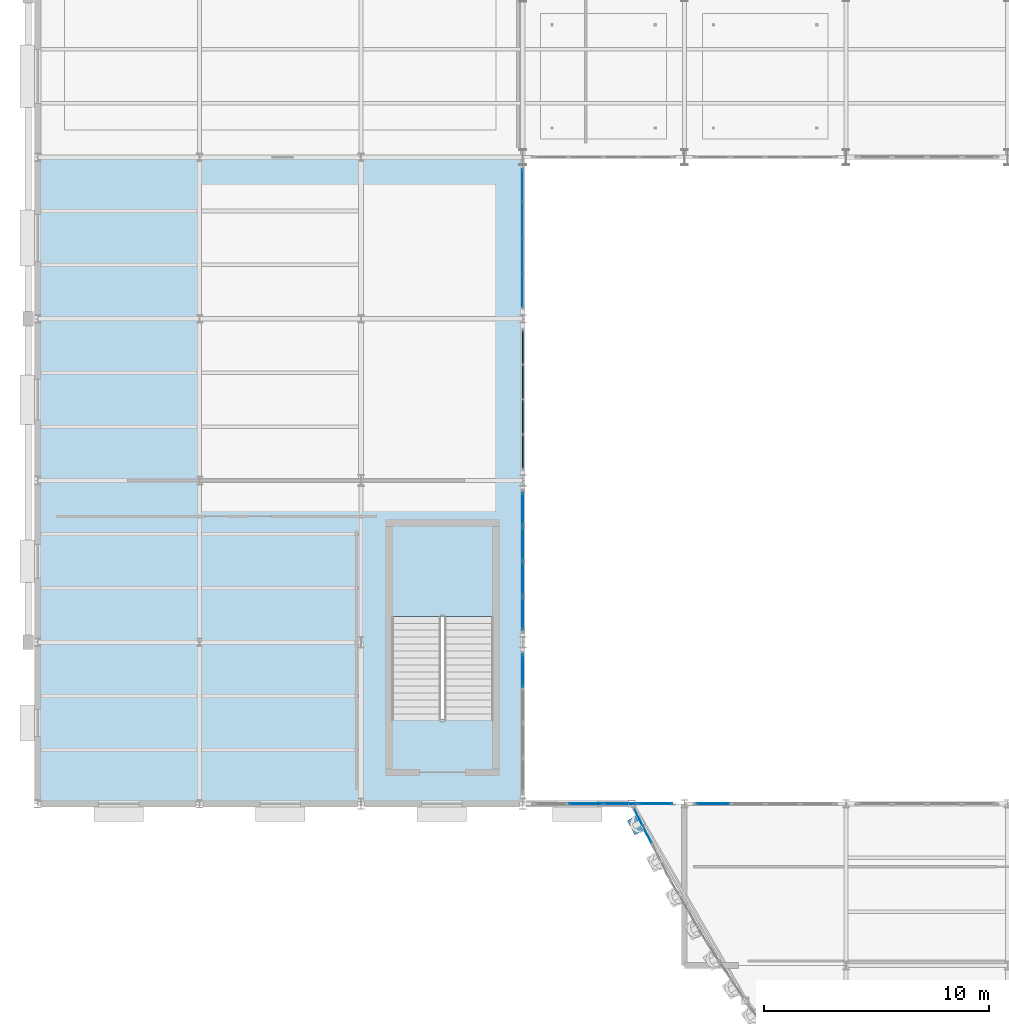
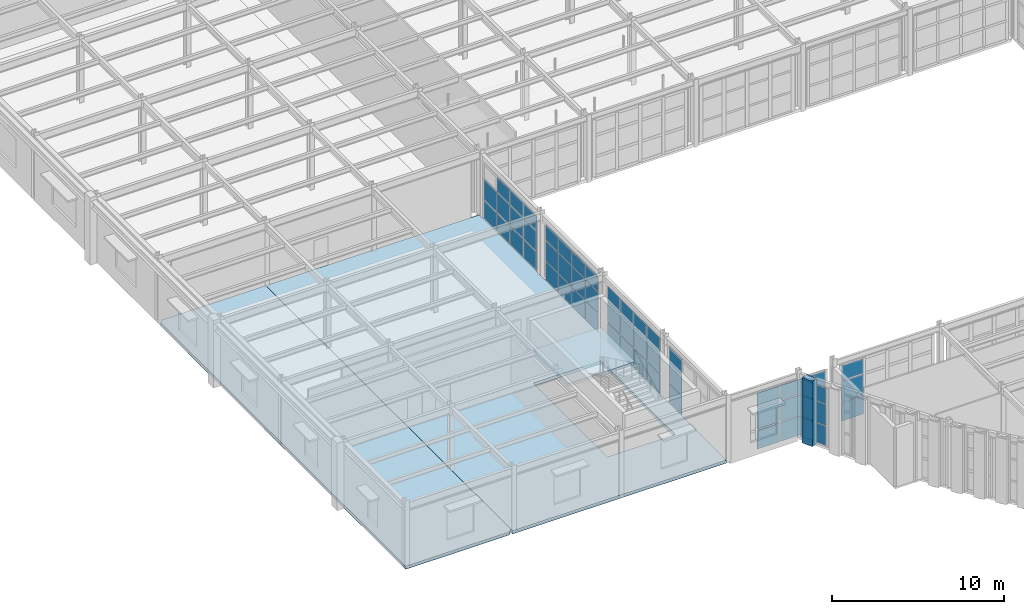
# One storey, part 78 of 121: 57 plates, 3 slabs, 8 elements without a shape of their own.
"""IFC4 building model written with IfcOpenShell, lengths in metres."""

from ifc_helpers import new_model, si_unit, direction, frame, origin, origin_2d, place, context, subcontext, project, spatial, polyline, rectangle, outline, extrude, material, layer, layer_set, type_object, element, aggregate, save


model = new_model("IFC4")

# Units and contexts
model_context = context("Model", 3, precision=1e-05, world=origin(), true_north=direction((0.0, 1.0)))
body_context = subcontext(model_context, "Body", "Model", "MODEL_VIEW")
ifc_project = project(units=[si_unit("LENGTHUNIT", "METRE"), si_unit("AREAUNIT", "SQUARE_METRE"), si_unit("VOLUMEUNIT", "CUBIC_METRE"), si_unit("PLANEANGLEUNIT", "RADIAN"), si_unit("MASSUNIT", "GRAM", prefix="KILO")], contexts=[model_context])

# Site, building, storey
site_placement = place(None, origin())
site = spatial("IfcSite", under=ifc_project, at=site_placement, CompositionType="ELEMENT")
building_placement = place(site_placement, origin())
building = spatial("IfcBuilding", under=site, at=building_placement, Name="Solvadek Multi-Sports Hall", CompositionType="ELEMENT")
storey_placement = place(building_placement, frame((0.0, 0.0, 4.800048828125)))
storey = spatial("IfcBuildingStorey", under=building, at=storey_placement, Name="L01", CompositionType="ELEMENT", Elevation=4.800048828125)

# Curtain wall, plates
ifc_material_1 = material(Name="Anodised aluminium", Category="aluminium")
ifc_layer_1 = layer(ifc_material_1, 0.159912109375, Name="Anodised aluminium")
ifc_layer_set_1 = layer_set([ifc_layer_1], Name="Anodised aluminium")
curtain_wall_type_1 = type_object("IfcCurtainWallType", Name="ENV-CW-347X420", PredefinedType="USERDEFINED", material=ifc_layer_set_1)
curtain_wall_1_placement = place(storey_placement, origin())
curtain_wall_1 = element("IfcCurtainWall", 1, at=curtain_wall_1_placement, inside=storey, type_object=curtain_wall_type_1, Name="L01 Crescent Curved Curtain Wall #1", ObjectType="CURTAIN WALL", PredefinedType="USERDEFINED")
ifc_material_2 = material(Name="Tempered laminated low-E glass", Category="glass")
ifc_layer_2 = layer(ifc_material_2, 0.02392578125, Name="Tempered laminated low-E glass")
ifc_layer_set_2 = layer_set([ifc_layer_2], Name="Tempered laminated low-E glass")
plate_type_1 = type_object("IfcPlateType", Name="ENV-CWP-01", PredefinedType="CURTAIN_PANEL", material=ifc_layer_set_2)
plate_1_placement = place(storey_placement, frame((26.765380859375, 19.785888671875, 0.06005859375), z_axis=(0.0, 0.0, 1.0), x_axis=(0.451559432312, -0.892241043155, 0.0)))
plate_1 = element("IfcPlate", 2, at=plate_1_placement, type_object=plate_type_1, Name="CW-01 panel 1.1", PredefinedType="CURTAIN_PANEL", context=body_context, shape_type="SweptSolid", body=[
    extrude(rectangle(XDim=0.7763671875, YDim=0.02392578125, at=origin_2d()), origin(), (0.0, 0.0, 1.0), 1.3798828125),
])
plate_2_placement = place(storey_placement, frame((26.765380859375, 19.785888671875, 1.5), z_axis=(0.0, 0.0, 1.0), x_axis=(0.451559432312, -0.892241043155, 0.0)))
plate_2 = element("IfcPlate", 3, at=plate_2_placement, type_object=plate_type_1, Name="CW-01 panel 1.2", PredefinedType="CURTAIN_PANEL", context=body_context, shape_type="SweptSolid", body=[
    extrude(rectangle(XDim=0.7763671875, YDim=0.02392578125, at=origin_2d()), origin(), (0.0, 0.0, 1.0), 1.493896484375),
])
plate_3_placement = place(storey_placement, frame((26.765380859375, 19.785888671875, 3.053955078125), z_axis=(0.0, 0.0, 1.0), x_axis=(0.451559432312, -0.892241043155, 0.0)))
plate_3 = element("IfcPlate", 4, at=plate_3_placement, type_object=plate_type_1, Name="CW-01 panel 1.3", PredefinedType="CURTAIN_PANEL", context=body_context, shape_type="SweptSolid", body=[
    extrude(rectangle(XDim=0.7763671875, YDim=0.02392578125, at=origin_2d()), origin(), (0.0, 0.0, 1.0), 1.0859375),
])
plate_4_placement = place(storey_placement, frame((27.14990234375, 19.026123046875, 0.06005859375), z_axis=(0.0, 0.0, 1.0), x_axis=(0.451559432312, -0.892241043155, 0.0)))
plate_4 = element("IfcPlate", 5, at=plate_4_placement, type_object=plate_type_1, Name="CW-01 panel 2.1", PredefinedType="CURTAIN_PANEL", context=body_context, shape_type="SweptSolid", body=[
    extrude(rectangle(XDim=0.806396484375, YDim=0.02392578125, at=origin_2d()), origin(), (0.0, 0.0, 1.0), 1.3798828125),
])
plate_5_placement = place(storey_placement, frame((27.14990234375, 19.026123046875, 1.5), z_axis=(0.0, 0.0, 1.0), x_axis=(0.451559432312, -0.892241043155, 0.0)))
plate_5 = element("IfcPlate", 6, at=plate_5_placement, type_object=plate_type_1, Name="CW-01 panel 2.2", PredefinedType="CURTAIN_PANEL", context=body_context, shape_type="SweptSolid", body=[
    extrude(rectangle(XDim=0.806396484375, YDim=0.02392578125, at=origin_2d()), origin(), (0.0, 0.0, 1.0), 1.493896484375),
])
plate_6_placement = place(storey_placement, frame((27.14990234375, 19.026123046875, 3.053955078125), z_axis=(0.0, 0.0, 1.0), x_axis=(0.451559432312, -0.892241043155, 0.0)))
plate_6 = element("IfcPlate", 7, at=plate_6_placement, type_object=plate_type_1, Name="CW-01 panel 2.3", PredefinedType="CURTAIN_PANEL", context=body_context, shape_type="SweptSolid", body=[
    extrude(rectangle(XDim=0.806396484375, YDim=0.02392578125, at=origin_2d()), origin(), (0.0, 0.0, 1.0), 1.0859375),
])
aggregate(curtain_wall_1, [plate_1, plate_2, plate_3, plate_4, plate_5, plate_6])

ifc_layer_3 = layer(ifc_material_1, 0.159912109375, Name="Anodised aluminium")
ifc_layer_set_3 = layer_set([ifc_layer_3], Name="Anodised aluminium")
curtain_wall_type_2 = type_object("IfcCurtainWallType", Name="ENV-CW-624X400", PredefinedType="USERDEFINED", material=ifc_layer_set_3)
curtain_wall_2_placement = place(storey_placement, origin())
curtain_wall_2 = element("IfcCurtainWall", 8, at=curtain_wall_2_placement, inside=storey, type_object=curtain_wall_type_2, Name="L01 Perimeter Bay Curtain Wall #198", ObjectType="CURTAIN WALL", PredefinedType="USERDEFINED")
plate_7_placement = place(storey_placement, frame((21.60009765625, 43.27490234375, 0.06494140625), z_axis=(0.0, 0.0, 1.0), x_axis=(0.0, 1.0, 0.0)))
plate_7 = element("IfcPlate", 9, at=plate_7_placement, type_object=plate_type_1, Name="CW-56 panel 1.1", PredefinedType="CURTAIN_PANEL", context=body_context, shape_type="SweptSolid", body=[
    extrude(rectangle(XDim=1.469970703125, YDim=0.02392578125, at=origin_2d()), origin(), (0.0, 0.0, 1.0), 1.302490234375),
])
plate_8_placement = place(storey_placement, frame((21.60009765625, 43.27490234375, 1.432373046875), z_axis=(0.0, 0.0, 1.0), x_axis=(0.0, 1.0, 0.0)))
plate_8 = element("IfcPlate", 10, at=plate_8_placement, type_object=plate_type_1, Name="CW-56 panel 1.2", PredefinedType="CURTAIN_PANEL", context=body_context, shape_type="SweptSolid", body=[
    extrude(rectangle(XDim=1.469970703125, YDim=0.02392578125, at=origin_2d()), origin(), (0.0, 0.0, 1.0), 1.4150390625),
])
plate_9_placement = place(storey_placement, frame((21.60009765625, 43.27490234375, 2.912353515625), z_axis=(0.0, 0.0, 1.0), x_axis=(0.0, 1.0, 0.0)))
plate_9 = element("IfcPlate", 11, at=plate_9_placement, type_object=plate_type_1, Name="CW-56 panel 1.3", PredefinedType="CURTAIN_PANEL", context=body_context, shape_type="SweptSolid", body=[
    extrude(rectangle(XDim=1.469970703125, YDim=0.02392578125, at=origin_2d()), origin(), (0.0, 0.0, 1.0), 1.0224609375),
])
plate_10_placement = place(storey_placement, frame((21.60009765625, 44.820068359375, 0.06494140625), z_axis=(0.0, 0.0, 1.0), x_axis=(0.0, 1.0, 0.0)))
plate_10 = element("IfcPlate", 12, at=plate_10_placement, type_object=plate_type_1, Name="CW-56 panel 2.1", PredefinedType="CURTAIN_PANEL", context=body_context, shape_type="SweptSolid", body=[
    extrude(rectangle(XDim=1.5, YDim=0.02392578125, at=origin_2d()), origin(), (0.0, 0.0, 1.0), 1.302490234375),
])
plate_11_placement = place(storey_placement, frame((21.60009765625, 44.820068359375, 1.432373046875), z_axis=(0.0, 0.0, 1.0), x_axis=(0.0, 1.0, 0.0)))
plate_11 = element("IfcPlate", 13, at=plate_11_placement, type_object=plate_type_1, Name="CW-56 panel 2.2", PredefinedType="CURTAIN_PANEL", context=body_context, shape_type="SweptSolid", body=[
    extrude(rectangle(XDim=1.5, YDim=0.02392578125, at=origin_2d()), origin(), (0.0, 0.0, 1.0), 1.4150390625),
])
plate_12_placement = place(storey_placement, frame((21.60009765625, 44.820068359375, 2.912353515625), z_axis=(0.0, 0.0, 1.0), x_axis=(0.0, 1.0, 0.0)))
plate_12 = element("IfcPlate", 14, at=plate_12_placement, type_object=plate_type_1, Name="CW-56 panel 2.3", PredefinedType="CURTAIN_PANEL", context=body_context, shape_type="SweptSolid", body=[
    extrude(rectangle(XDim=1.5, YDim=0.02392578125, at=origin_2d()), origin(), (0.0, 0.0, 1.0), 1.0224609375),
])
plate_13_placement = place(storey_placement, frame((21.60009765625, 46.3798828125, 0.06494140625), z_axis=(0.0, 0.0, 1.0), x_axis=(0.0, 1.0, 0.0)))
plate_13 = element("IfcPlate", 15, at=plate_13_placement, type_object=plate_type_1, Name="CW-56 panel 3.1", PredefinedType="CURTAIN_PANEL", context=body_context, shape_type="SweptSolid", body=[
    extrude(rectangle(XDim=1.5, YDim=0.02392578125, at=origin_2d()), origin(), (0.0, 0.0, 1.0), 1.302490234375),
])
plate_14_placement = place(storey_placement, frame((21.60009765625, 46.3798828125, 1.432373046875), z_axis=(0.0, 0.0, 1.0), x_axis=(0.0, 1.0, 0.0)))
plate_14 = element("IfcPlate", 16, at=plate_14_placement, type_object=plate_type_1, Name="CW-56 panel 3.2", PredefinedType="CURTAIN_PANEL", context=body_context, shape_type="SweptSolid", body=[
    extrude(rectangle(XDim=1.5, YDim=0.02392578125, at=origin_2d()), origin(), (0.0, 0.0, 1.0), 1.4150390625),
])
plate_15_placement = place(storey_placement, frame((21.60009765625, 46.3798828125, 2.912353515625), z_axis=(0.0, 0.0, 1.0), x_axis=(0.0, 1.0, 0.0)))
plate_15 = element("IfcPlate", 17, at=plate_15_placement, type_object=plate_type_1, Name="CW-56 panel 3.3", PredefinedType="CURTAIN_PANEL", context=body_context, shape_type="SweptSolid", body=[
    extrude(rectangle(XDim=1.5, YDim=0.02392578125, at=origin_2d()), origin(), (0.0, 0.0, 1.0), 1.0224609375),
])
plate_16_placement = place(storey_placement, frame((21.60009765625, 47.925048828125, 0.06494140625), z_axis=(0.0, 0.0, 1.0), x_axis=(0.0, 1.0, 0.0)))
plate_16 = element("IfcPlate", 18, at=plate_16_placement, type_object=plate_type_1, Name="CW-56 panel 4.1", PredefinedType="CURTAIN_PANEL", context=body_context, shape_type="SweptSolid", body=[
    extrude(rectangle(XDim=1.469970703125, YDim=0.02392578125, at=origin_2d()), origin(), (0.0, 0.0, 1.0), 1.302490234375),
])
plate_17_placement = place(storey_placement, frame((21.60009765625, 47.925048828125, 1.432373046875), z_axis=(0.0, 0.0, 1.0), x_axis=(0.0, 1.0, 0.0)))
plate_17 = element("IfcPlate", 19, at=plate_17_placement, type_object=plate_type_1, Name="CW-56 panel 4.2", PredefinedType="CURTAIN_PANEL", context=body_context, shape_type="SweptSolid", body=[
    extrude(rectangle(XDim=1.469970703125, YDim=0.02392578125, at=origin_2d()), origin(), (0.0, 0.0, 1.0), 1.4150390625),
])
aggregate(curtain_wall_2, [plate_7, plate_8, plate_9, plate_10, plate_11, plate_12, plate_13, plate_14, plate_15, plate_16, plate_17])

ifc_layer_4 = layer(ifc_material_1, 0.159912109375, Name="Anodised aluminium")
ifc_layer_set_4 = layer_set([ifc_layer_4], Name="Anodised aluminium")
curtain_wall_type_3 = type_object("IfcCurtainWallType", Name="ENV-CW-624X410", PredefinedType="USERDEFINED", material=ifc_layer_set_4)
curtain_wall_3_placement = place(storey_placement, origin())
curtain_wall_3 = element("IfcCurtainWall", 20, at=curtain_wall_3_placement, inside=storey, type_object=curtain_wall_type_3, Name="L01 Perimeter Bay Curtain Wall #153", ObjectType="CURTAIN WALL", PredefinedType="USERDEFINED")
ifc_layer_5 = layer(ifc_material_2, 0.031982421875, Name="Tempered laminated low-E glass")
ifc_layer_set_5 = layer_set([ifc_layer_5], Name="Tempered laminated low-E glass")
plate_type_2 = type_object("IfcPlateType", Name="ENV-CWP-03", PredefinedType="CURTAIN_PANEL", material=ifc_layer_set_5)
plate_18_placement = place(storey_placement, frame((24.419921875, 20.39990234375, 0.06494140625), z_axis=(0.0, 0.0, 1.0), x_axis=(1.0, 0.0, 0.0)))
plate_18 = element("IfcPlate", 21, at=plate_18_placement, type_object=plate_type_2, Name="CW-39 panel 2.1", PredefinedType="CURTAIN_PANEL", context=body_context, shape_type="SweptSolid", body=[
    extrude(rectangle(XDim=1.4951171875, YDim=0.031982421875, at=origin_2d()), origin(), (0.0, 0.0, 1.0), 1.33740234375),
])
plate_19_placement = place(storey_placement, frame((24.419921875, 20.39990234375, 1.46728515625), z_axis=(0.0, 0.0, 1.0), x_axis=(1.0, 0.0, 0.0)))
plate_19 = element("IfcPlate", 22, at=plate_19_placement, type_object=plate_type_2, Name="CW-39 panel 2.2", PredefinedType="CURTAIN_PANEL", context=body_context, shape_type="SweptSolid", body=[
    extrude(rectangle(XDim=1.4951171875, YDim=0.031982421875, at=origin_2d()), origin(), (0.0, 0.0, 1.0), 1.451904296875),
])
plate_20_placement = place(storey_placement, frame((24.419921875, 20.39990234375, 2.984375), z_axis=(0.0, 0.0, 1.0), x_axis=(1.0, 0.0, 0.0)))
plate_20 = element("IfcPlate", 23, at=plate_20_placement, type_object=plate_type_2, Name="CW-39 panel 2.3", PredefinedType="CURTAIN_PANEL", context=body_context, shape_type="SweptSolid", body=[
    extrude(rectangle(XDim=1.4951171875, YDim=0.031982421875, at=origin_2d()), origin(), (0.0, 0.0, 1.0), 1.050537109375),
])
plate_21_placement = place(storey_placement, frame((25.97998046875, 20.39990234375, 0.06494140625), z_axis=(0.0, 0.0, 1.0), x_axis=(1.0, 0.0, 0.0)))
plate_21 = element("IfcPlate", 24, at=plate_21_placement, type_object=plate_type_2, Name="CW-39 panel 3.1", PredefinedType="CURTAIN_PANEL", context=body_context, shape_type="SweptSolid", body=[
    extrude(rectangle(XDim=1.4951171875, YDim=0.031982421875, at=origin_2d()), origin(), (0.0, 0.0, 1.0), 1.33740234375),
])
plate_22_placement = place(storey_placement, frame((25.97998046875, 20.39990234375, 1.46728515625), z_axis=(0.0, 0.0, 1.0), x_axis=(1.0, 0.0, 0.0)))
plate_22 = element("IfcPlate", 25, at=plate_22_placement, type_object=plate_type_2, Name="CW-39 panel 3.2", PredefinedType="CURTAIN_PANEL", context=body_context, shape_type="SweptSolid", body=[
    extrude(rectangle(XDim=1.4951171875, YDim=0.031982421875, at=origin_2d()), origin(), (0.0, 0.0, 1.0), 1.451904296875),
])
plate_23_placement = place(storey_placement, frame((25.97998046875, 20.39990234375, 2.984375), z_axis=(0.0, 0.0, 1.0), x_axis=(1.0, 0.0, 0.0)))
plate_23 = element("IfcPlate", 26, at=plate_23_placement, type_object=plate_type_2, Name="CW-39 panel 3.3", PredefinedType="CURTAIN_PANEL", context=body_context, shape_type="SweptSolid", body=[
    extrude(rectangle(XDim=1.4951171875, YDim=0.031982421875, at=origin_2d()), origin(), (0.0, 0.0, 1.0), 1.050537109375),
])
plate_24_placement = place(storey_placement, frame((27.523681640625, 20.39990234375, 0.06494140625), z_axis=(0.0, 0.0, 1.0), x_axis=(1.0, 0.0, 0.0)))
plate_24 = element("IfcPlate", 27, at=plate_24_placement, type_object=plate_type_2, Name="CW-39 panel 4.1", PredefinedType="CURTAIN_PANEL", context=body_context, shape_type="SweptSolid", body=[
    extrude(rectangle(XDim=1.46240234375, YDim=0.031982421875, at=origin_2d()), origin(), (0.0, 0.0, 1.0), 1.33740234375),
])
plate_25_placement = place(storey_placement, frame((27.523681640625, 20.39990234375, 1.46728515625), z_axis=(0.0, 0.0, 1.0), x_axis=(1.0, 0.0, 0.0)))
plate_25 = element("IfcPlate", 28, at=plate_25_placement, type_object=plate_type_2, Name="CW-39 panel 4.2", PredefinedType="CURTAIN_PANEL", context=body_context, shape_type="SweptSolid", body=[
    extrude(rectangle(XDim=1.46240234375, YDim=0.031982421875, at=origin_2d()), origin(), (0.0, 0.0, 1.0), 1.451904296875),
])
plate_26_placement = place(storey_placement, frame((27.523681640625, 20.39990234375, 2.984375), z_axis=(0.0, 0.0, 1.0), x_axis=(1.0, 0.0, 0.0)))
plate_26 = element("IfcPlate", 29, at=plate_26_placement, type_object=plate_type_2, Name="CW-39 panel 4.3", PredefinedType="CURTAIN_PANEL", context=body_context, shape_type="SweptSolid", body=[
    extrude(rectangle(XDim=1.46240234375, YDim=0.031982421875, at=origin_2d()), origin(), (0.0, 0.0, 1.0), 1.050537109375),
])
aggregate(curtain_wall_3, [plate_18, plate_19, plate_20, plate_21, plate_22, plate_23, plate_24, plate_25, plate_26])

ifc_layer_6 = layer(ifc_material_1, 0.159912109375, Name="Anodised aluminium")
ifc_layer_set_6 = layer_set([ifc_layer_6], Name="Anodised aluminium")
curtain_wall_type_4 = type_object("IfcCurtainWallType", Name="ENV-CW-624X408", PredefinedType="USERDEFINED", material=ifc_layer_set_6)
curtain_wall_4_placement = place(storey_placement, origin())
curtain_wall_4 = element("IfcCurtainWall", 30, at=curtain_wall_4_placement, inside=storey, type_object=curtain_wall_type_4, Name="L01 Perimeter Bay Curtain Wall #159", ObjectType="CURTAIN WALL", PredefinedType="USERDEFINED")
ifc_layer_7 = layer(ifc_material_2, 0.035888671875, Name="Tempered laminated low-E glass")
ifc_layer_set_7 = layer_set([ifc_layer_7], Name="Tempered laminated low-E glass")
plate_type_3 = type_object("IfcPlateType", Name="ENV-CWP-04", PredefinedType="CURTAIN_PANEL", material=ifc_layer_set_7)
plate_27_placement = place(storey_placement, frame((30.076171875, 20.39990234375, 0.06494140625), z_axis=(0.0, 0.0, 1.0), x_axis=(1.0, 0.0, 0.0)))
plate_27 = element("IfcPlate", 31, at=plate_27_placement, type_object=plate_type_3, Name="CW-40 panel 1.1", PredefinedType="CURTAIN_PANEL", context=body_context, shape_type="SweptSolid", body=[
    extrude(rectangle(XDim=1.46240234375, YDim=0.035888671875, at=origin_2d()), origin(), (0.0, 0.0, 1.0), 1.32861328125),
])
plate_28_placement = place(storey_placement, frame((30.076171875, 20.39990234375, 1.45849609375), z_axis=(0.0, 0.0, 1.0), x_axis=(1.0, 0.0, 0.0)))
plate_28 = element("IfcPlate", 32, at=plate_28_placement, type_object=plate_type_3, Name="CW-40 panel 1.2", PredefinedType="CURTAIN_PANEL", context=body_context, shape_type="SweptSolid", body=[
    extrude(rectangle(XDim=1.46240234375, YDim=0.035888671875, at=origin_2d()), origin(), (0.0, 0.0, 1.0), 1.443115234375),
])
plate_29_placement = place(storey_placement, frame((30.076171875, 20.39990234375, 2.966552734375), z_axis=(0.0, 0.0, 1.0), x_axis=(1.0, 0.0, 0.0)))
plate_29 = element("IfcPlate", 33, at=plate_29_placement, type_object=plate_type_3, Name="CW-40 panel 1.3", PredefinedType="CURTAIN_PANEL", context=body_context, shape_type="SweptSolid", body=[
    extrude(rectangle(XDim=1.46240234375, YDim=0.035888671875, at=origin_2d()), origin(), (0.0, 0.0, 1.0), 1.04345703125),
])
aggregate(curtain_wall_4, [plate_27, plate_28, plate_29])

curtain_wall_5_placement = place(storey_placement, origin())
curtain_wall_5 = element("IfcCurtainWall", 34, at=curtain_wall_5_placement, inside=storey, type_object=curtain_wall_type_4, Name="L01 Perimeter Bay Curtain Wall #181", ObjectType="CURTAIN WALL", PredefinedType="USERDEFINED")
plate_30_placement = place(storey_placement, frame((21.60009765625, 26.32373046875, 0.06494140625), z_axis=(0.0, 0.0, 1.0), x_axis=(0.0, 1.0, 0.0)))
plate_30 = element("IfcPlate", 35, at=plate_30_placement, type_object=plate_type_3, Name="CW-40 panel 4.1", PredefinedType="CURTAIN_PANEL", context=body_context, shape_type="SweptSolid", body=[
    extrude(rectangle(XDim=1.46240234375, YDim=0.035888671875, at=origin_2d()), origin(), (0.0, 0.0, 1.0), 1.32861328125),
])
plate_31_placement = place(storey_placement, frame((21.60009765625, 26.32373046875, 1.45849609375), z_axis=(0.0, 0.0, 1.0), x_axis=(0.0, 1.0, 0.0)))
plate_31 = element("IfcPlate", 36, at=plate_31_placement, type_object=plate_type_3, Name="CW-40 panel 4.2", PredefinedType="CURTAIN_PANEL", context=body_context, shape_type="SweptSolid", body=[
    extrude(rectangle(XDim=1.46240234375, YDim=0.035888671875, at=origin_2d()), origin(), (0.0, 0.0, 1.0), 1.443115234375),
])
plate_32_placement = place(storey_placement, frame((21.60009765625, 26.32373046875, 2.966552734375), z_axis=(0.0, 0.0, 1.0), x_axis=(0.0, 1.0, 0.0)))
plate_32 = element("IfcPlate", 37, at=plate_32_placement, type_object=plate_type_3, Name="CW-40 panel 4.3", PredefinedType="CURTAIN_PANEL", context=body_context, shape_type="SweptSolid", body=[
    extrude(rectangle(XDim=1.46240234375, YDim=0.035888671875, at=origin_2d()), origin(), (0.0, 0.0, 1.0), 1.04345703125),
])
aggregate(curtain_wall_5, [plate_30, plate_31, plate_32])

ifc_layer_8 = layer(ifc_material_1, 0.159912109375, Name="Anodised aluminium")
ifc_layer_set_8 = layer_set([ifc_layer_8], Name="Anodised aluminium")
curtain_wall_type_5 = type_object("IfcCurtainWallType", Name="ENV-CW-624X405", PredefinedType="USERDEFINED", material=ifc_layer_set_8)
curtain_wall_6_placement = place(storey_placement, origin())
curtain_wall_6 = element("IfcCurtainWall", 38, at=curtain_wall_6_placement, inside=storey, type_object=curtain_wall_type_5, Name="L01 Perimeter Bay Curtain Wall #187", ObjectType="CURTAIN WALL", PredefinedType="USERDEFINED")
ifc_layer_9 = layer(ifc_material_2, 0.0419921875, Name="Tempered laminated low-E glass")
ifc_layer_set_9 = layer_set([ifc_layer_9], Name="Tempered laminated low-E glass")
plate_type_4 = type_object("IfcPlateType", Name="ENV-CWP-05", PredefinedType="CURTAIN_PANEL", material=ifc_layer_set_9)
plate_33_placement = place(storey_placement, frame((21.60009765625, 28.87744140625, 0.06005859375), z_axis=(0.0, 0.0, 1.0), x_axis=(0.0, 1.0, 0.0)))
plate_33 = element("IfcPlate", 39, at=plate_33_placement, type_object=plate_type_4, Name="CW-52 panel 1.1", PredefinedType="CURTAIN_PANEL", context=body_context, shape_type="SweptSolid", body=[
    extrude(rectangle(XDim=1.455078125, YDim=0.0419921875, at=origin_2d()), origin(), (0.0, 0.0, 1.0), 1.326904296875),
])
plate_34_placement = place(storey_placement, frame((21.60009765625, 28.87744140625, 1.447021484375), z_axis=(0.0, 0.0, 1.0), x_axis=(0.0, 1.0, 0.0)))
plate_34 = element("IfcPlate", 40, at=plate_34_placement, type_object=plate_type_4, Name="CW-52 panel 1.2", PredefinedType="CURTAIN_PANEL", context=body_context, shape_type="SweptSolid", body=[
    extrude(rectangle(XDim=1.455078125, YDim=0.0419921875, at=origin_2d()), origin(), (0.0, 0.0, 1.0), 1.43896484375),
])
plate_35_placement = place(storey_placement, frame((21.60009765625, 28.87744140625, 2.946044921875), z_axis=(0.0, 0.0, 1.0), x_axis=(0.0, 1.0, 0.0)))
plate_35 = element("IfcPlate", 41, at=plate_35_placement, type_object=plate_type_4, Name="CW-52 panel 1.3", PredefinedType="CURTAIN_PANEL", context=body_context, shape_type="SweptSolid", body=[
    extrude(rectangle(XDim=1.455078125, YDim=0.0419921875, at=origin_2d()), origin(), (0.0, 0.0, 1.0), 1.0439453125),
])
plate_36_placement = place(storey_placement, frame((21.60009765625, 30.419921875, 0.06005859375), z_axis=(0.0, 0.0, 1.0), x_axis=(0.0, 1.0, 0.0)))
plate_36 = element("IfcPlate", 42, at=plate_36_placement, type_object=plate_type_4, Name="CW-52 panel 2.1", PredefinedType="CURTAIN_PANEL", context=body_context, shape_type="SweptSolid", body=[
    extrude(rectangle(XDim=1.489990234375, YDim=0.0419921875, at=origin_2d()), origin(), (0.0, 0.0, 1.0), 1.326904296875),
])
plate_37_placement = place(storey_placement, frame((21.60009765625, 30.419921875, 1.447021484375), z_axis=(0.0, 0.0, 1.0), x_axis=(0.0, 1.0, 0.0)))
plate_37 = element("IfcPlate", 43, at=plate_37_placement, type_object=plate_type_4, Name="CW-52 panel 2.2", PredefinedType="CURTAIN_PANEL", context=body_context, shape_type="SweptSolid", body=[
    extrude(rectangle(XDim=1.489990234375, YDim=0.0419921875, at=origin_2d()), origin(), (0.0, 0.0, 1.0), 1.43896484375),
])
plate_38_placement = place(storey_placement, frame((21.60009765625, 30.419921875, 2.946044921875), z_axis=(0.0, 0.0, 1.0), x_axis=(0.0, 1.0, 0.0)))
plate_38 = element("IfcPlate", 44, at=plate_38_placement, type_object=plate_type_4, Name="CW-52 panel 2.3", PredefinedType="CURTAIN_PANEL", context=body_context, shape_type="SweptSolid", body=[
    extrude(rectangle(XDim=1.489990234375, YDim=0.0419921875, at=origin_2d()), origin(), (0.0, 0.0, 1.0), 1.0439453125),
])
plate_39_placement = place(storey_placement, frame((21.60009765625, 31.97998046875, 0.06005859375), z_axis=(0.0, 0.0, 1.0), x_axis=(0.0, 1.0, 0.0)))
plate_39 = element("IfcPlate", 45, at=plate_39_placement, type_object=plate_type_4, Name="CW-52 panel 3.1", PredefinedType="CURTAIN_PANEL", context=body_context, shape_type="SweptSolid", body=[
    extrude(rectangle(XDim=1.489990234375, YDim=0.0419921875, at=origin_2d()), origin(), (0.0, 0.0, 1.0), 1.326904296875),
])
plate_40_placement = place(storey_placement, frame((21.60009765625, 31.97998046875, 1.447021484375), z_axis=(0.0, 0.0, 1.0), x_axis=(0.0, 1.0, 0.0)))
plate_40 = element("IfcPlate", 46, at=plate_40_placement, type_object=plate_type_4, Name="CW-52 panel 3.2", PredefinedType="CURTAIN_PANEL", context=body_context, shape_type="SweptSolid", body=[
    extrude(rectangle(XDim=1.489990234375, YDim=0.0419921875, at=origin_2d()), origin(), (0.0, 0.0, 1.0), 1.43896484375),
])
plate_41_placement = place(storey_placement, frame((21.60009765625, 31.97998046875, 2.946044921875), z_axis=(0.0, 0.0, 1.0), x_axis=(0.0, 1.0, 0.0)))
plate_41 = element("IfcPlate", 47, at=plate_41_placement, type_object=plate_type_4, Name="CW-52 panel 3.3", PredefinedType="CURTAIN_PANEL", context=body_context, shape_type="SweptSolid", body=[
    extrude(rectangle(XDim=1.489990234375, YDim=0.0419921875, at=origin_2d()), origin(), (0.0, 0.0, 1.0), 1.0439453125),
])
plate_42_placement = place(storey_placement, frame((21.60009765625, 33.5224609375, 0.06005859375), z_axis=(0.0, 0.0, 1.0), x_axis=(0.0, 1.0, 0.0)))
plate_42 = element("IfcPlate", 48, at=plate_42_placement, type_object=plate_type_4, Name="CW-52 panel 4.1", PredefinedType="CURTAIN_PANEL", context=body_context, shape_type="SweptSolid", body=[
    extrude(rectangle(XDim=1.455078125, YDim=0.0419921875, at=origin_2d()), origin(), (0.0, 0.0, 1.0), 1.326904296875),
])
plate_43_placement = place(storey_placement, frame((21.60009765625, 33.5224609375, 1.447021484375), z_axis=(0.0, 0.0, 1.0), x_axis=(0.0, 1.0, 0.0)))
plate_43 = element("IfcPlate", 49, at=plate_43_placement, type_object=plate_type_4, Name="CW-52 panel 4.2", PredefinedType="CURTAIN_PANEL", context=body_context, shape_type="SweptSolid", body=[
    extrude(rectangle(XDim=1.455078125, YDim=0.0419921875, at=origin_2d()), origin(), (0.0, 0.0, 1.0), 1.43896484375),
])
plate_44_placement = place(storey_placement, frame((21.60009765625, 33.5224609375, 2.946044921875), z_axis=(0.0, 0.0, 1.0), x_axis=(0.0, 1.0, 0.0)))
plate_44 = element("IfcPlate", 50, at=plate_44_placement, type_object=plate_type_4, Name="CW-52 panel 4.3", PredefinedType="CURTAIN_PANEL", context=body_context, shape_type="SweptSolid", body=[
    extrude(rectangle(XDim=1.455078125, YDim=0.0419921875, at=origin_2d()), origin(), (0.0, 0.0, 1.0), 1.0439453125),
])
aggregate(curtain_wall_6, [plate_33, plate_34, plate_35, plate_36, plate_37, plate_38, plate_39, plate_40, plate_41, plate_42, plate_43, plate_44])

ifc_layer_10 = layer(ifc_material_1, 0.159912109375, Name="Anodised aluminium")
ifc_layer_set_10 = layer_set([ifc_layer_10], Name="Anodised aluminium")
curtain_wall_type_6 = type_object("IfcCurtainWallType", Name="ENV-CW-624X402", PredefinedType="USERDEFINED", material=ifc_layer_set_10)
curtain_wall_7_placement = place(storey_placement, origin())
curtain_wall_7 = element("IfcCurtainWall", 51, at=curtain_wall_7_placement, inside=storey, type_object=curtain_wall_type_6, Name="L01 Perimeter Bay Curtain Wall #193", ObjectType="CURTAIN WALL", PredefinedType="USERDEFINED")
ifc_layer_11 = layer(ifc_material_2, 0.048095703125, Name="Tempered laminated low-E glass")
ifc_layer_set_11 = layer_set([ifc_layer_11], Name="Tempered laminated low-E glass")
plate_type_5 = type_object("IfcPlateType", Name="ENV-CWP-06", PredefinedType="CURTAIN_PANEL", material=ifc_layer_set_11)
plate_45_placement = place(storey_placement, frame((21.60009765625, 36.074951171875, 0.06005859375), z_axis=(0.0, 0.0, 1.0), x_axis=(0.0, 1.0, 0.0)))
plate_45 = element("IfcPlate", 52, at=plate_45_placement, type_object=plate_type_5, Name="CW-55 panel 1.1", PredefinedType="CURTAIN_PANEL", context=body_context, shape_type="SweptSolid", body=[
    extrude(rectangle(XDim=1.469970703125, YDim=0.048095703125, at=origin_2d()), origin(), (0.0, 0.0, 1.0), 1.319091796875),
])
plate_46_placement = place(storey_placement, frame((21.60009765625, 36.074951171875, 1.43896484375), z_axis=(0.0, 0.0, 1.0), x_axis=(0.0, 1.0, 0.0)))
plate_46 = element("IfcPlate", 53, at=plate_46_placement, type_object=plate_type_5, Name="CW-55 panel 1.2", PredefinedType="CURTAIN_PANEL", context=body_context, shape_type="SweptSolid", body=[
    extrude(rectangle(XDim=1.469970703125, YDim=0.048095703125, at=origin_2d()), origin(), (0.0, 0.0, 1.0), 1.428955078125),
])
plate_47_placement = place(storey_placement, frame((21.60009765625, 36.074951171875, 2.927978515625), z_axis=(0.0, 0.0, 1.0), x_axis=(0.0, 1.0, 0.0)))
plate_47 = element("IfcPlate", 54, at=plate_47_placement, type_object=plate_type_5, Name="CW-55 panel 1.3", PredefinedType="CURTAIN_PANEL", context=body_context, shape_type="SweptSolid", body=[
    extrude(rectangle(XDim=1.469970703125, YDim=0.048095703125, at=origin_2d()), origin(), (0.0, 0.0, 1.0), 1.037109375),
])
plate_48_placement = place(storey_placement, frame((21.60009765625, 37.6201171875, 0.06005859375), z_axis=(0.0, 0.0, 1.0), x_axis=(0.0, 1.0, 0.0)))
plate_48 = element("IfcPlate", 55, at=plate_48_placement, type_object=plate_type_5, Name="CW-55 panel 2.1", PredefinedType="CURTAIN_PANEL", context=body_context, shape_type="SweptSolid", body=[
    extrude(rectangle(XDim=1.5, YDim=0.048095703125, at=origin_2d()), origin(), (0.0, 0.0, 1.0), 1.319091796875),
])
plate_49_placement = place(storey_placement, frame((21.60009765625, 37.6201171875, 1.43896484375), z_axis=(0.0, 0.0, 1.0), x_axis=(0.0, 1.0, 0.0)))
plate_49 = element("IfcPlate", 56, at=plate_49_placement, type_object=plate_type_5, Name="CW-55 panel 2.2", PredefinedType="CURTAIN_PANEL", context=body_context, shape_type="SweptSolid", body=[
    extrude(rectangle(XDim=1.5, YDim=0.048095703125, at=origin_2d()), origin(), (0.0, 0.0, 1.0), 1.428955078125),
])
plate_50_placement = place(storey_placement, frame((21.60009765625, 37.6201171875, 2.927978515625), z_axis=(0.0, 0.0, 1.0), x_axis=(0.0, 1.0, 0.0)))
plate_50 = element("IfcPlate", 57, at=plate_50_placement, type_object=plate_type_5, Name="CW-55 panel 2.3", PredefinedType="CURTAIN_PANEL", context=body_context, shape_type="SweptSolid", body=[
    extrude(rectangle(XDim=1.5, YDim=0.048095703125, at=origin_2d()), origin(), (0.0, 0.0, 1.0), 1.037109375),
])
plate_51_placement = place(storey_placement, frame((21.60009765625, 39.179931640625, 0.06005859375), z_axis=(0.0, 0.0, 1.0), x_axis=(0.0, 1.0, 0.0)))
plate_51 = element("IfcPlate", 58, at=plate_51_placement, type_object=plate_type_5, Name="CW-55 panel 3.1", PredefinedType="CURTAIN_PANEL", context=body_context, shape_type="SweptSolid", body=[
    extrude(rectangle(XDim=1.5, YDim=0.048095703125, at=origin_2d()), origin(), (0.0, 0.0, 1.0), 1.319091796875),
])
plate_52_placement = place(storey_placement, frame((21.60009765625, 39.179931640625, 1.43896484375), z_axis=(0.0, 0.0, 1.0), x_axis=(0.0, 1.0, 0.0)))
plate_52 = element("IfcPlate", 59, at=plate_52_placement, type_object=plate_type_5, Name="CW-55 panel 3.2", PredefinedType="CURTAIN_PANEL", context=body_context, shape_type="SweptSolid", body=[
    extrude(rectangle(XDim=1.5, YDim=0.048095703125, at=origin_2d()), origin(), (0.0, 0.0, 1.0), 1.428955078125),
])
plate_53_placement = place(storey_placement, frame((21.60009765625, 39.179931640625, 2.927978515625), z_axis=(0.0, 0.0, 1.0), x_axis=(0.0, 1.0, 0.0)))
plate_53 = element("IfcPlate", 60, at=plate_53_placement, type_object=plate_type_5, Name="CW-55 panel 3.3", PredefinedType="CURTAIN_PANEL", context=body_context, shape_type="SweptSolid", body=[
    extrude(rectangle(XDim=1.5, YDim=0.048095703125, at=origin_2d()), origin(), (0.0, 0.0, 1.0), 1.037109375),
])
plate_54_placement = place(storey_placement, frame((21.60009765625, 40.72509765625, 0.06005859375), z_axis=(0.0, 0.0, 1.0), x_axis=(0.0, 1.0, 0.0)))
plate_54 = element("IfcPlate", 61, at=plate_54_placement, type_object=plate_type_5, Name="CW-55 panel 4.1", PredefinedType="CURTAIN_PANEL", context=body_context, shape_type="SweptSolid", body=[
    extrude(rectangle(XDim=1.469970703125, YDim=0.048095703125, at=origin_2d()), origin(), (0.0, 0.0, 1.0), 1.319091796875),
])
plate_55_placement = place(storey_placement, frame((21.60009765625, 40.72509765625, 1.43896484375), z_axis=(0.0, 0.0, 1.0), x_axis=(0.0, 1.0, 0.0)))
plate_55 = element("IfcPlate", 62, at=plate_55_placement, type_object=plate_type_5, Name="CW-55 panel 4.2", PredefinedType="CURTAIN_PANEL", context=body_context, shape_type="SweptSolid", body=[
    extrude(rectangle(XDim=1.469970703125, YDim=0.048095703125, at=origin_2d()), origin(), (0.0, 0.0, 1.0), 1.428955078125),
])
plate_56_placement = place(storey_placement, frame((21.60009765625, 40.72509765625, 2.927978515625), z_axis=(0.0, 0.0, 1.0), x_axis=(0.0, 1.0, 0.0)))
plate_56 = element("IfcPlate", 63, at=plate_56_placement, type_object=plate_type_5, Name="CW-55 panel 4.3", PredefinedType="CURTAIN_PANEL", context=body_context, shape_type="SweptSolid", body=[
    extrude(rectangle(XDim=1.469970703125, YDim=0.048095703125, at=origin_2d()), origin(), (0.0, 0.0, 1.0), 1.037109375),
])
aggregate(curtain_wall_7, [plate_45, plate_46, plate_47, plate_48, plate_49, plate_50, plate_51, plate_52, plate_53, plate_54, plate_55, plate_56])

# Plate
ifc_material_3 = material(Name="Perforated champagne-bronze anodised aluminium", Category="aluminium")
ifc_layer_12 = layer(ifc_material_3, 0.419921875, Name="Perforated champagne-bronze anodised aluminium")
ifc_layer_set_12 = layer_set([ifc_layer_12], Name="Perforated champagne-bronze anodised aluminium")
plate_type_6 = type_object("IfcPlateType", Name="ENV-FLT-440", PredefinedType="USERDEFINED", material=ifc_layer_set_12)
plate_57_placement = place(storey_placement, frame((26.608642578125, 19.43115234375, 0.0400390625), z_axis=(0.0, 0.0, 1.0), x_axis=(0.451555495273, -0.892243035663, 0.0)))
element("IfcPlate", 64, at=plate_57_placement, inside=storey, type_object=plate_type_6, Name="L01 Half-Cylinder Colonnade Flute #1", ObjectType="FLANGED_SHEET", PredefinedType="USERDEFINED", context=body_context, shape_type="SweptSolid", body=[
    extrude(rectangle(XDim=0.719970703125, YDim=0.419921875, at=origin_2d()), origin(), (0.0, 0.0, 1.0), 4.64990234375),
])

# Stair, slab
ifc_material_4 = material(Name="Concrete M35", Category="concrete")
stair_type = type_object("IfcStairType", Name="INT-STR-DOG220", PredefinedType="USERDEFINED", material=ifc_material_4)
stair_placement = place(storey_placement, origin())
stair = element("IfcStair", 65, at=stair_placement, inside=storey, type_object=stair_type, Name="L01 Exit Stair Core ST-01 (SW Crescent)", ObjectType="TWO_RUN_STAIR", PredefinedType="USERDEFINED")
ifc_layer_13 = layer(ifc_material_4, 0.199951171875, Name="Concrete M35")
ifc_layer_set_13 = layer_set([ifc_layer_13], Name="Concrete M35")
slab_type_1 = type_object("IfcSlabType", Name="INT-LND-RC200", PredefinedType="LANDING", material=ifc_layer_set_13)
slab_1_placement = place(storey_placement, frame((0.0, 0.0, 2.199951171875)))
slab_1 = element("IfcSlab", 66, at=slab_1_placement, type_object=slab_type_1, Name="ST-01 landing 1", PredefinedType="LANDING", context=body_context, shape_type="SweptSolid", body=[
    extrude(outline(polyline([(20.300048828125, 28.75), (20.300048828125, 32.800048828125), (15.75, 32.800048828125), (15.75, 28.75), (20.300048828125, 28.75)])), origin(), (0.0, 0.0, 1.0), 0.199951171875),
])
aggregate(stair, [slab_1])

# Slabs
ifc_layer_14 = layer(ifc_material_4, 0.219970703125, Name="Concrete M35")
ifc_layer_set_14 = layer_set([ifc_layer_14], Name="Concrete M35")
slab_type_2 = type_object("IfcSlabType", Name="STR-SLB-FLR220", PredefinedType="FLOOR", material=ifc_layer_set_14)
slab_2_placement = place(storey_placement, frame((0.0, 0.0, -0.219970703125)))
element("IfcSlab", 67, at=slab_2_placement, inside=storey, type_object=slab_type_2, Name="L01 First Floor Concourse Slab #52", PredefinedType="FLOOR", context=body_context, shape_type="SweptSolid", body=[
    extrude(outline(polyline([(0.0, 48.97998046875), (0.219970703125, 49.199951171875), (7.199951171875, 49.199951171875), (7.199951171875, 20.6201171875), (6.97998046875, 20.39990234375), (0.0, 20.39990234375), (0.0, 48.97998046875)])), origin(), (0.0, 0.0, 1.0), 0.219970703125),
])
slab_3_placement = place(storey_placement, frame((0.0, 0.0, -0.219970703125)))
element("IfcSlab", 68, at=slab_3_placement, inside=storey, type_object=slab_type_2, Name="L01 First Floor Concourse Slab #53", PredefinedType="FLOOR", context=body_context, shape_type="SweptSolid", body=[
    extrude(outline(polyline([(7.199951171875, 20.6201171875), (7.199951171875, 49.199951171875), (21.60009765625, 49.199951171875), (21.60009765625, 20.39990234375), (7.199951171875, 20.39990234375), (7.199951171875, 20.6201171875)]), holes=[polyline([(20.300048828125, 32.800048828125), (15.75, 32.800048828125), (15.75, 24.14501953125), (20.300048828125, 24.14501953125), (20.300048828125, 32.800048828125)])]), origin(), (0.0, 0.0, 1.0), 0.219970703125),
])

save(model, "model.ifc")
